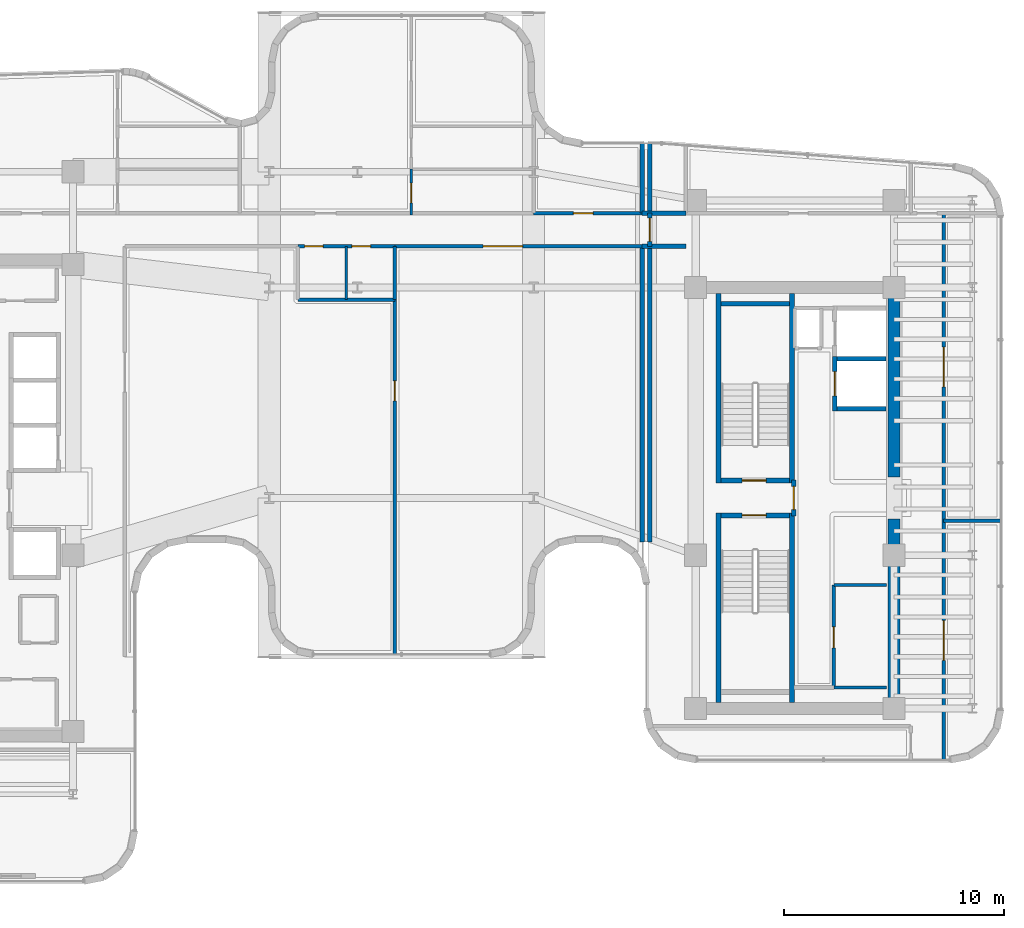
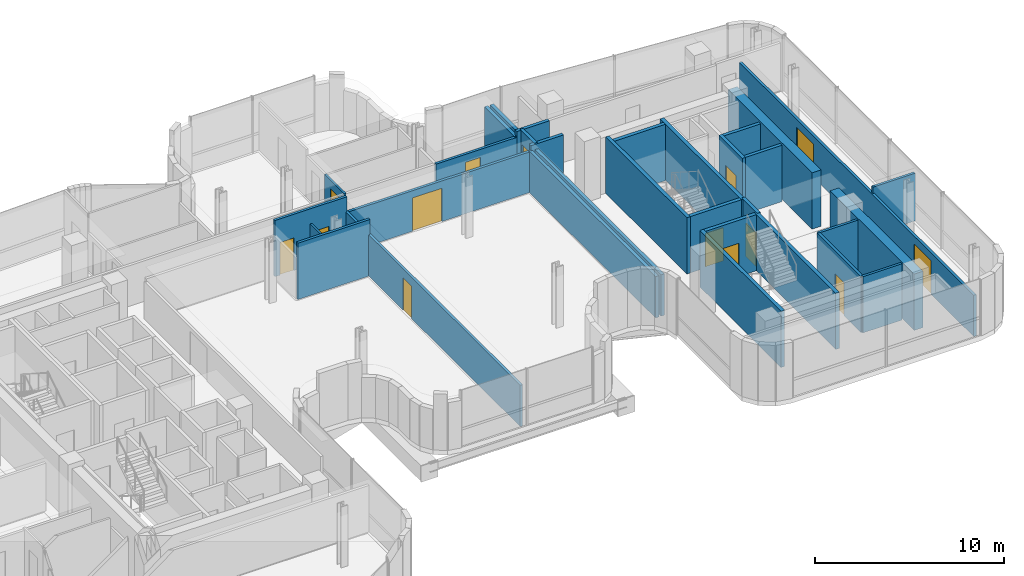
# One storey, part 29 of 38: 33 walls, 14 doors, 14 openings.
"""IFC4 building model written with IfcOpenShell, lengths in metres."""

from ifc_helpers import new_model, si_unit, direction, frame, frame_2d, origin, place, context, subcontext, project, spatial, rectangle, extrude, material, layer, layer_set, type_object, element, fill, save


model = new_model("IFC4")

# Units and contexts
model_context = context("Model", 3, precision=1e-05, world=origin(), true_north=direction((0.0, 1.0)))
body_context = subcontext(model_context, "Body", "Model", "MODEL_VIEW")
ifc_project = project(units=[si_unit("LENGTHUNIT", "METRE"), si_unit("AREAUNIT", "SQUARE_METRE"), si_unit("VOLUMEUNIT", "CUBIC_METRE"), si_unit("PLANEANGLEUNIT", "RADIAN"), si_unit("MASSUNIT", "GRAM", prefix="KILO")], contexts=[model_context])

# Site, building, storey
site_placement = place(None, origin())
site = spatial("IfcSite", under=ifc_project, at=site_placement, CompositionType="ELEMENT")
building_placement = place(site_placement, origin())
building = spatial("IfcBuilding", under=site, at=building_placement, Name="Valdorenza Pilgrim Sanctuary Tower", CompositionType="ELEMENT")
storey_placement = place(building_placement, frame((0.0, 0.0, 180.5)))
storey = spatial("IfcBuildingStorey", under=building, at=storey_placement, Name="L46", CompositionType="ELEMENT", Elevation=180.5)

# Wall, opening, door
ifc_material_1 = material(Name="Acoustic twin-stud gypsum partition", Category="gypsum")
ifc_layer_1 = layer(ifc_material_1, 0.159912109375, Name="Acoustic twin-stud gypsum partition")
ifc_layer_set_1 = layer_set([ifc_layer_1], Name="Acoustic twin-stud gypsum partition")
wall_type_1 = type_object("IfcWallType", Name="WAL-COR-160", PredefinedType="PARTITIONING", material=ifc_layer_set_1)
wall_1_placement = place(storey_placement, frame((22.1201171875, -8.60009765625, 0.0), z_axis=(0.0, 0.0, 1.0), x_axis=(0.0, 1.0, 0.0)))
wall_1 = element("IfcWall", 1, at=wall_1_placement, inside=storey, type_object=wall_type_1, Name="L46 Core B Freed Shaft West Wall", PredefinedType="PARTITIONING", context=body_context, shape_type="SweptSolid", body=[
    extrude(rectangle(XDim=4.650146484375, YDim=0.159912109375, at=frame_2d((2.3251953125, 0.0))), origin(), (0.0, 0.0, 1.0), 3.6298828125),
])
opening_1_placement = place(wall_1_placement, frame((1.800048828125, 0.0, 0.0)))
opening_1 = element("IfcOpeningElement", 2, at=opening_1_placement, cuts=wall_1, Name="Opening DR-UN1", PredefinedType="OPENING", context=body_context, shape_type="SweptSolid", body=[
    extrude(rectangle(XDim=0.949951171875, YDim=2.14990234375, at=frame_2d((0.47509765625, 1.074951171875))), frame((0.0, 0.0947265625, 0.0), z_axis=(0.0, -1.0, 0.0), x_axis=(1.0, 0.0, 0.0)), (0.0, 0.0, 1.0), 0.189697265625),
])
ifc_material_2 = material(Name="Solid-core European oak timber", Category="wood")
door_type_1 = type_object("IfcDoorType", Name="DR-UNIT-950", OperationType="NOTDEFINED", PredefinedType="DOOR", material=ifc_material_2)
door_1_placement = place(opening_1_placement, origin())
door_1 = element("IfcDoor", 3, at=door_1_placement, inside=storey, type_object=door_type_1, Name="L46 East Core Linen Store Door", OperationType="SINGLE_SWING_RIGHT", OverallHeight=2.14990234375, OverallWidth=0.949951171875, PredefinedType="DOOR", context=body_context, shape_type="SweptSolid", body=[
    extrude(rectangle(XDim=0.949951171875, YDim=2.14990234375, at=frame_2d((0.47509765625, 1.074951171875))), frame((0.0, 0.02490234375, 0.0), z_axis=(0.0, -1.0, 0.0), x_axis=(1.0, 0.0, 0.0)), (0.0, 0.0, 1.0), 0.050048828125),
])
fill(opening_1, door_1)

wall_2_placement = place(storey_placement, frame((2.199951171875, 11.419921875, 0.0), z_axis=(0.0, 0.0, 1.0), x_axis=(1.0, 0.0, 0.0)))
wall_2 = element("IfcWall", 4, at=wall_2_placement, inside=storey, type_object=wall_type_1, Name="L46 Prayer Library North-East Corridor Wall", PredefinedType="PARTITIONING", context=body_context, shape_type="SweptSolid", body=[
    extrude(rectangle(XDim=11.219970703125, YDim=0.159912109375, at=frame_2d((5.60986328125, 0.0))), origin(), (0.0, 0.0, 1.0), 2.614990234375),
])
opening_2_placement = place(wall_2_placement, frame((4.0, 0.0, 0.0)))
opening_2 = element("IfcOpeningElement", 5, at=opening_2_placement, cuts=wall_2, Name="Opening DR-HL1", PredefinedType="OPENING", context=body_context, shape_type="SweptSolid", body=[
    extrude(rectangle(XDim=1.800048828125, YDim=2.14990234375, at=frame_2d((0.89990234375, 1.074951171875))), frame((0.0, 0.0947265625, 0.0), z_axis=(0.0, -1.0, 0.0), x_axis=(1.0, 0.0, 0.0)), (0.0, 0.0, 1.0), 0.189697265625),
])
ifc_material_3 = material(Name="Acoustic oak and vision-glass double door", Category="glass")
door_type_2 = type_object("IfcDoorType", Name="DR-HALL-1800", OperationType="NOTDEFINED", PredefinedType="DOOR", material=ifc_material_3)
door_2_placement = place(opening_2_placement, origin())
door_2 = element("IfcDoor", 6, at=door_2_placement, inside=storey, type_object=door_type_2, Name="L46 Sacred Archive Reading Library Door", OperationType="DOUBLE_DOOR_SINGLE_SWING", OverallHeight=2.14990234375, OverallWidth=1.800048828125, PredefinedType="DOOR", context=body_context, shape_type="SweptSolid", body=[
    extrude(rectangle(XDim=1.800048828125, YDim=2.14990234375, at=frame_2d((0.89990234375, 1.074951171875))), frame((0.0, 0.02490234375, 0.0), z_axis=(0.0, -1.0, 0.0), x_axis=(1.0, 0.0, 0.0)), (0.0, 0.0, 1.0), 0.050048828125),
])
fill(opening_2, door_2)

# Walls
wall_3_placement = place(storey_placement, frame((2.199951171875, 9.0, 0.0), z_axis=(0.0, 0.0, 1.0), x_axis=(0.0, 1.0, 0.0)))
element("IfcWall", 7, at=wall_3_placement, inside=storey, type_object=wall_type_1, Name="L46 Washroom East Wall", PredefinedType="PARTITIONING", context=body_context, shape_type="SweptSolid", body=[
    extrude(rectangle(XDim=2.419921875, YDim=0.159912109375, at=frame_2d((1.2099609375, 0.0))), origin(), (0.0, 0.0, 1.0), 2.6650390625),
])
wall_4_placement = place(storey_placement, frame((-2.199951171875, 9.0, 0.0), z_axis=(0.0, 0.0, 1.0), x_axis=(1.0, 0.0, 0.0)))
element("IfcWall", 8, at=wall_4_placement, inside=storey, type_object=wall_type_1, Name="L46 Washroom South Wall", PredefinedType="PARTITIONING", context=body_context, shape_type="SweptSolid", body=[
    extrude(rectangle(XDim=4.39990234375, YDim=0.159912109375, at=frame_2d((2.199951171875, 0.0))), origin(), (0.0, 0.0, 1.0), 3.6298828125),
])

# Wall, openings, doors
wall_5_placement = place(storey_placement, frame((-2.199951171875, 11.419921875, 0.0), z_axis=(0.0, 0.0, 1.0), x_axis=(1.0, 0.0, 0.0)))
wall_5 = element("IfcWall", 9, at=wall_5_placement, inside=storey, type_object=wall_type_1, Name="L46 Washroom North Wall", PredefinedType="PARTITIONING", context=body_context, shape_type="SweptSolid", body=[
    extrude(rectangle(XDim=4.39990234375, YDim=0.159912109375, at=frame_2d((2.199951171875, 0.0))), origin(), (0.0, 0.0, 1.0), 3.6298828125),
])
opening_3_placement = place(wall_5_placement, frame((0.300048828125, 0.0, 0.0)))
opening_3 = element("IfcOpeningElement", 10, at=opening_3_placement, cuts=wall_5, Name="Opening DR-WC1", PredefinedType="OPENING", context=body_context, shape_type="SweptSolid", body=[
    extrude(rectangle(XDim=0.85009765625, YDim=2.10009765625, at=frame_2d((0.425048828125, 1.050048828125))), frame((0.0, 0.0947265625, 0.0), z_axis=(0.0, -1.0, 0.0), x_axis=(1.0, 0.0, 0.0)), (0.0, 0.0, 1.0), 0.189697265625),
])
opening_4_placement = place(wall_5_placement, frame((2.449951171875, 0.0, 0.0)))
opening_4 = element("IfcOpeningElement", 11, at=opening_4_placement, cuts=wall_5, Name="Opening DR-WC1", PredefinedType="OPENING", context=body_context, shape_type="SweptSolid", body=[
    extrude(rectangle(XDim=0.85009765625, YDim=2.10009765625, at=frame_2d((0.425048828125, 1.050048828125))), frame((0.0, 0.0947265625, 0.0), z_axis=(0.0, -1.0, 0.0), x_axis=(1.0, 0.0, 0.0)), (0.0, 0.0, 1.0), 0.189697265625),
])
ifc_material_4 = material(Name="Moisture-resistant lacquered timber", Category="wood")
door_type_3 = type_object("IfcDoorType", Name="DR-BATH-850", OperationType="NOTDEFINED", PredefinedType="DOOR", material=ifc_material_4)
door_3_placement = place(opening_3_placement, origin())
door_3 = element("IfcDoor", 12, at=door_3_placement, inside=storey, type_object=door_type_3, Name="L46 Accessible Washroom Door", OperationType="SINGLE_SWING_RIGHT", OverallHeight=2.10009765625, OverallWidth=0.85009765625, PredefinedType="DOOR", context=body_context, shape_type="SweptSolid", body=[
    extrude(rectangle(XDim=0.85009765625, YDim=2.10009765625, at=frame_2d((0.425048828125, 1.050048828125))), frame((0.0, 0.02490234375, 0.0), z_axis=(0.0, -1.0, 0.0), x_axis=(1.0, 0.0, 0.0)), (0.0, 0.0, 1.0), 0.050048828125),
])
fill(opening_3, door_3)
door_4_placement = place(opening_4_placement, origin())
door_4 = element("IfcDoor", 13, at=door_4_placement, inside=storey, type_object=door_type_3, Name="L46 Public Washroom Door", OperationType="SINGLE_SWING_LEFT", OverallHeight=2.10009765625, OverallWidth=0.85009765625, PredefinedType="DOOR", context=body_context, shape_type="SweptSolid", body=[
    extrude(rectangle(XDim=0.85009765625, YDim=2.10009765625, at=frame_2d((0.425048828125, 1.050048828125))), frame((0.0, 0.02490234375, 0.0), z_axis=(0.0, -1.0, 0.0), x_axis=(1.0, 0.0, 0.0)), (0.0, 0.0, 1.0), 0.050048828125),
])
fill(opening_4, door_4)

# Wall, opening, door
wall_6_placement = place(storey_placement, frame((8.5, 12.919921875, 0.0), z_axis=(0.0, 0.0, 1.0), x_axis=(1.0, 0.0, 0.0)))
wall_6 = element("IfcWall", 14, at=wall_6_placement, inside=storey, type_object=wall_type_1, Name="L46 North-East Prayer Salon Corridor Wall", PredefinedType="PARTITIONING", context=body_context, shape_type="SweptSolid", body=[
    extrude(rectangle(XDim=4.919921875, YDim=0.159912109375, at=frame_2d((2.4599609375, 0.0))), origin(), (0.0, 0.0, 1.0), 2.614990234375),
])
opening_5_placement = place(wall_6_placement, frame((1.800048828125, 0.0, 0.0)))
opening_5 = element("IfcOpeningElement", 15, at=opening_5_placement, cuts=wall_6, Name="Opening DR-RM1", PredefinedType="OPENING", context=body_context, shape_type="SweptSolid", body=[
    extrude(rectangle(XDim=0.89990234375, YDim=2.10009765625, at=frame_2d((0.449951171875, 1.050048828125))), frame((0.0, 0.0947265625, 0.0), z_axis=(0.0, -1.0, 0.0), x_axis=(1.0, 0.0, 0.0)), (0.0, 0.0, 1.0), 0.189697265625),
])
door_type_4 = type_object("IfcDoorType", Name="DR-ROOM-900", OperationType="NOTDEFINED", PredefinedType="DOOR", material=ifc_material_2)
door_5_placement = place(opening_5_placement, origin())
door_5 = element("IfcDoor", 16, at=door_5_placement, inside=storey, type_object=door_type_4, Name="L46 North-East Contemplation Salon Door", OperationType="SINGLE_SWING_RIGHT", OverallHeight=2.10009765625, OverallWidth=0.89990234375, PredefinedType="DOOR", context=body_context, shape_type="SweptSolid", body=[
    extrude(rectangle(XDim=0.89990234375, YDim=2.10009765625, at=frame_2d((0.449951171875, 1.050048828125))), frame((0.0, 0.02490234375, 0.0), z_axis=(0.0, -1.0, 0.0), x_axis=(1.0, 0.0, 0.0)), (0.0, 0.0, 1.0), 0.050048828125),
])
fill(opening_5, door_5)

# Wall, openings, doors
wall_7_placement = place(storey_placement, frame((27.10009765625, -11.889892578125, 0.0), z_axis=(0.0, 0.0, 1.0), x_axis=(0.0, 1.0, 0.0)))
wall_7 = element("IfcWall", 17, at=wall_7_placement, inside=storey, type_object=wall_type_1, Name="L46 Wing B East Corridor Wall", PredefinedType="PARTITIONING", context=body_context, shape_type="SweptSolid", body=[
    extrude(rectangle(XDim=24.809814453125, YDim=0.159912109375, at=frame_2d((12.40478515625, 0.0))), origin(), (0.0, 0.0, 1.0), 2.6650390625),
])
opening_6_placement = place(wall_7_placement, frame((4.52490234375, 0.0, 0.0)))
opening_6 = element("IfcOpeningElement", 18, at=opening_6_placement, cuts=wall_7, Name="Opening DR-HL1", PredefinedType="OPENING", context=body_context, shape_type="SweptSolid", body=[
    extrude(rectangle(XDim=1.800048828125, YDim=2.14990234375, at=frame_2d((0.89990234375, 1.074951171875))), frame((0.0, 0.0947265625, 0.0), z_axis=(0.0, -1.0, 0.0), x_axis=(1.0, 0.0, 0.0)), (0.0, 0.0, 1.0), 0.189697265625),
])
opening_7_placement = place(wall_7_placement, frame((16.929931640625, 0.0, 0.0)))
opening_7 = element("IfcOpeningElement", 19, at=opening_7_placement, cuts=wall_7, Name="Opening DR-HL1", PredefinedType="OPENING", context=body_context, shape_type="SweptSolid", body=[
    extrude(rectangle(XDim=1.800048828125, YDim=2.14990234375, at=frame_2d((0.89990234375, 1.074951171875))), frame((0.0, 0.0947265625, 0.0), z_axis=(0.0, -1.0, 0.0), x_axis=(1.0, 0.0, 0.0)), (0.0, 0.0, 1.0), 0.189697265625),
])
door_6_placement = place(opening_6_placement, origin())
door_6 = element("IfcDoor", 20, at=door_6_placement, inside=storey, type_object=door_type_2, Name="L46 East Reading Lounge L46-EB1 Door", OperationType="DOUBLE_DOOR_SINGLE_SWING", OverallHeight=2.14990234375, OverallWidth=1.800048828125, PredefinedType="DOOR", context=body_context, shape_type="SweptSolid", body=[
    extrude(rectangle(XDim=1.800048828125, YDim=2.14990234375, at=frame_2d((0.89990234375, 1.074951171875))), frame((0.0, 0.02490234375, 0.0), z_axis=(0.0, -1.0, 0.0), x_axis=(1.0, 0.0, 0.0)), (0.0, 0.0, 1.0), 0.050048828125),
])
fill(opening_6, door_6)
door_7_placement = place(opening_7_placement, frame((1.800048828125, 0.0, 0.0), z_axis=(0.0, 0.0, 1.0), x_axis=(-1.0, 0.0, 0.0)))
door_7 = element("IfcDoor", 21, at=door_7_placement, inside=storey, type_object=door_type_2, Name="L46 East Reading Lounge L46-EB2 Door", OperationType="DOUBLE_DOOR_SINGLE_SWING", OverallHeight=2.14990234375, OverallWidth=1.800048828125, PredefinedType="DOOR", context=body_context, shape_type="SweptSolid", body=[
    extrude(rectangle(XDim=1.800048828125, YDim=2.14990234375, at=frame_2d((0.89990234375, 1.074951171875))), frame((0.0, 0.02490234375, 0.0), z_axis=(0.0, -1.0, 0.0), x_axis=(1.0, 0.0, 0.0)), (0.0, 0.0, 1.0), 0.050048828125),
])
fill(opening_7, door_7)

# Walls
ifc_material_5 = material(Name="Concrete C50/60", Category="concrete")
ifc_layer_2 = layer(ifc_material_5, 0.550048828125, Name="Concrete C50/60")
ifc_layer_set_2 = layer_set([ifc_layer_2], Name="Concrete C50/60")
wall_type_2 = type_object("IfcWallType", Name="WAL-COR-550", PredefinedType="SHEAR", material=ifc_layer_set_2)
for number, where, z_axis, x_axis, name in (
    (22, (24.85009765625, -9.824951171875, 0.0), (0.0, 0.0, 1.0), (0.0, 1.0, 0.0), "L46 Split Core B Shear Wall ES"),
    (23, (24.85009765625, 0.949951171875, 0.0), (0.0, 0.0, 1.0), (0.0, 1.0, 0.0), "L46 Split Core B Shear Wall EN"),
):
    element("IfcWall", number, at=place(storey_placement, frame(where, z_axis=z_axis, x_axis=x_axis)), inside=storey, type_object=wall_type_2, Name=name, PredefinedType="SHEAR", context=body_context, shape_type="SweptSolid", body=[
        extrude(rectangle(XDim=8.875, YDim=0.550048828125, at=frame_2d((4.4375, 0.0))), origin(), (0.0, 0.0, 1.0), 3.6298828125),
    ])

# Wall, opening, door
ifc_material_6 = material(Name="Gypsum shaftwall partition", Category="gypsum")
ifc_layer_3 = layer(ifc_material_6, 0.199951171875, Name="Gypsum shaftwall partition")
ifc_layer_set_3 = layer_set([ifc_layer_3], Name="Gypsum shaftwall partition")
wall_type_3 = type_object("IfcWallType", Name="WAL-FFL-200", PredefinedType="PARTITIONING", material=ifc_layer_set_3)
wall_8_placement = place(storey_placement, frame((20.300048828125, -0.820068359375, 0.0), z_axis=(0.0, 0.0, 1.0), x_axis=(0.0, 1.0, 0.0)))
wall_8 = element("IfcWall", 24, at=wall_8_placement, inside=storey, type_object=wall_type_3, Name="L46 Core B Firefighting Lobby East Wall", PredefinedType="PARTITIONING", context=body_context, shape_type="SweptSolid", body=[
    extrude(rectangle(XDim=1.64013671875, YDim=0.199951171875, at=frame_2d((0.820068359375, 0.0))), origin(), (0.0, 0.0, 1.0), 3.6298828125),
])
opening_8_placement = place(wall_8_placement, frame((0.294921875, 0.0, 0.0)))
opening_8 = element("IfcOpeningElement", 25, at=opening_8_placement, cuts=wall_8, Name="Opening DR-FL1", PredefinedType="OPENING", context=body_context, shape_type="SweptSolid", body=[
    extrude(rectangle(XDim=1.050048828125, YDim=2.14990234375, at=frame_2d((0.52490234375, 1.074951171875))), frame((0.0, 0.11474609375, 0.0), z_axis=(0.0, -1.0, 0.0), x_axis=(1.0, 0.0, 0.0)), (0.0, 0.0, 1.0), 0.229736328125),
])
ifc_material_7 = material(Name="Painted galvanized steel", Category="steel")
door_type_5 = type_object("IfcDoorType", Name="DR-FFL-1050", OperationType="NOTDEFINED", PredefinedType="DOOR", material=ifc_material_7)
door_8_placement = place(opening_8_placement, origin())
door_8 = element("IfcDoor", 26, at=door_8_placement, inside=storey, type_object=door_type_5, Name="L46 Core B Firefighting Lobby Door", OperationType="SINGLE_SWING_RIGHT", OverallHeight=2.14990234375, OverallWidth=1.050048828125, PredefinedType="DOOR", context=body_context, shape_type="SweptSolid", body=[
    extrude(rectangle(XDim=1.050048828125, YDim=2.14990234375, at=frame_2d((0.52490234375, 1.074951171875))), frame((0.0, 0.02490234375, 0.0), z_axis=(0.0, -1.0, 0.0), x_axis=(1.0, 0.0, 0.0)), (0.0, 0.0, 1.0), 0.050048828125),
])
fill(opening_8, door_8)

# Walls
for number, where, z_axis, x_axis, name in (
    (27, (13.419921875, -2.0, 0.0), (0.0, 0.0, 1.0), (0.0, 1.0, 0.0), "L46 Prayer Bar Joint West Wall"),
    (28, (13.760009765625, -2.0, 0.0), (0.0, 0.0, 1.0), (0.0, 1.0, 0.0), "L46 Wing B Joint East Wall"),
):
    element("IfcWall", number, at=place(storey_placement, frame(where, z_axis=z_axis, x_axis=x_axis)), inside=storey, type_object=wall_type_3, Name=name, PredefinedType="PARTITIONING", context=body_context, shape_type="SweptSolid", body=[
        extrude(rectangle(XDim=13.419921875, YDim=0.199951171875, at=frame_2d((6.7099609375, 0.0))), origin(), (0.0, 0.0, 1.0), 2.6650390625),
    ])
for number, where, z_axis, x_axis, name in (
    (29, (13.419921875, 12.919921875, 0.0), (0.0, 0.0, 1.0), (0.0, 1.0, 0.0), "L46 North-East Joint West Wall"),
    (30, (13.760009765625, 12.919921875, 0.0), (0.0, 0.0, 1.0), (0.0, 1.0, 0.0), "L46 North-East Joint East Wall"),
):
    element("IfcWall", number, at=place(storey_placement, frame(where, z_axis=z_axis, x_axis=x_axis)), inside=storey, type_object=wall_type_3, Name=name, PredefinedType="PARTITIONING", context=body_context, shape_type="SweptSolid", body=[
        extrude(rectangle(XDim=3.170166015625, YDim=0.199951171875, at=frame_2d((1.5849609375, 0.0))), origin(), (0.0, 0.0, 1.0), 2.6650390625),
    ])
for number, where, z_axis, x_axis, name in (
    (31, (13.419921875, 12.919921875, 0.0), (0.0, 0.0, 1.0), (1.0, 0.0, 0.0), "L46 L46 Bridge Joint Corridor North Wall"),
    (32, (13.419921875, 11.419921875, 0.0), (0.0, 0.0, 1.0), (1.0, 0.0, 0.0), "L46 L46 Bridge Joint Corridor South Wall"),
):
    element("IfcWall", number, at=place(storey_placement, frame(where, z_axis=z_axis, x_axis=x_axis)), inside=storey, type_object=wall_type_3, Name=name, PredefinedType="PARTITIONING", context=body_context, shape_type="SweptSolid", body=[
        extrude(rectangle(XDim=1.97998046875, YDim=0.199951171875, at=frame_2d((0.989990234375, 0.0))), origin(), (0.0, 0.0, 1.0), 3.00390625),
    ])

# Wall, opening, door
wall_9_placement = place(storey_placement, frame((13.760009765625, 11.419921875, 0.0), z_axis=(0.0, 0.0, 1.0), x_axis=(0.0, 1.0, 0.0)))
wall_9 = element("IfcWall", 33, at=wall_9_placement, inside=storey, type_object=wall_type_3, Name="L46 L46 Bridge Joint Threshold Fire Wall", PredefinedType="PARTITIONING", context=body_context, shape_type="SweptSolid", body=[
    extrude(rectangle(XDim=1.5, YDim=0.199951171875, at=frame_2d((0.75, 0.0))), origin(), (0.0, 0.0, 1.0), 3.00390625),
])
opening_9_placement = place(wall_9_placement, frame((0.22509765625, 0.0, 0.0)))
opening_9 = element("IfcOpeningElement", 34, at=opening_9_placement, cuts=wall_9, Name="Opening DR-FL1", PredefinedType="OPENING", context=body_context, shape_type="SweptSolid", body=[
    extrude(rectangle(XDim=1.050048828125, YDim=2.14990234375, at=frame_2d((0.52490234375, 1.074951171875))), frame((0.0, 0.11474609375, 0.0), z_axis=(0.0, -1.0, 0.0), x_axis=(1.0, 0.0, 0.0)), (0.0, 0.0, 1.0), 0.229736328125),
])
door_9_placement = place(opening_9_placement, origin())
door_9 = element("IfcDoor", 35, at=door_9_placement, inside=storey, type_object=door_type_5, Name="L46 L46 Bridge Movement-Joint Threshold Door", OperationType="SINGLE_SWING_RIGHT", OverallHeight=2.14990234375, OverallWidth=1.050048828125, PredefinedType="DOOR", context=body_context, shape_type="SweptSolid", body=[
    extrude(rectangle(XDim=1.050048828125, YDim=2.14990234375, at=frame_2d((0.52490234375, 1.074951171875))), frame((0.0, 0.02490234375, 0.0), z_axis=(0.0, -1.0, 0.0), x_axis=(1.0, 0.0, 0.0)), (0.0, 0.0, 1.0), 0.050048828125),
])
fill(opening_9, door_9)

ifc_material_8 = material(Name="Moisture-resistant gypsum partition", Category="gypsum")
ifc_layer_4 = layer(ifc_material_8, 0.1201171875, Name="Moisture-resistant gypsum partition")
ifc_layer_set_4 = layer_set([ifc_layer_4], Name="Moisture-resistant gypsum partition")
wall_type_4 = type_object("IfcWallType", Name="WAL-INT-120", PredefinedType="PARTITIONING", material=ifc_layer_set_4)
wall_10_placement = place(storey_placement, frame((2.9501953125, 12.840087890625, 0.0), z_axis=(0.0, 0.0, 1.0), x_axis=(0.0, 1.0, 0.0)))
wall_10 = element("IfcWall", 36, at=wall_10_placement, inside=storey, type_object=wall_type_4, Name="L46 North Family Flat L46-N3 Kitchen Door Wall", PredefinedType="PARTITIONING", context=body_context, shape_type="SweptSolid", body=[
    extrude(rectangle(XDim=2.079833984375, YDim=0.1201171875, at=frame_2d((1.0400390625, 0.0))), origin(), (0.0, 0.0, 1.0), 2.6650390625),
])
opening_10_placement = place(wall_10_placement, frame((0.550048828125, 0.0, 0.0)))
opening_10 = element("IfcOpeningElement", 37, at=opening_10_placement, cuts=wall_10, Name="Opening DR-RM1", PredefinedType="OPENING", context=body_context, shape_type="SweptSolid", body=[
    extrude(rectangle(XDim=0.89990234375, YDim=2.10009765625, at=frame_2d((0.449951171875, 1.050048828125))), frame((0.0, 0.074951171875, 0.0), z_axis=(0.0, -1.0, 0.0), x_axis=(1.0, 0.0, 0.0)), (0.0, 0.0, 1.0), 0.14990234375),
])
door_10_placement = place(opening_10_placement, origin())
door_10 = element("IfcDoor", 38, at=door_10_placement, inside=storey, type_object=door_type_4, Name="L46 North Family Flat L46-N3 Kitchen Door", OperationType="SINGLE_SWING_LEFT", OverallHeight=2.10009765625, OverallWidth=0.89990234375, PredefinedType="DOOR", context=body_context, shape_type="SweptSolid", body=[
    extrude(rectangle(XDim=0.89990234375, YDim=2.10009765625, at=frame_2d((0.449951171875, 1.050048828125))), frame((0.0, 0.02490234375, 0.0), z_axis=(0.0, -1.0, 0.0), x_axis=(1.0, 0.0, 0.0)), (0.0, 0.0, 1.0), 0.050048828125),
])
fill(opening_10, door_10)

# Wall
wall_11_placement = place(storey_placement, frame((0.0, 9.0, 0.0), z_axis=(0.0, 0.0, 1.0), x_axis=(0.0, 1.0, 0.0)))
element("IfcWall", 39, at=wall_11_placement, inside=storey, type_object=wall_type_4, Name="L46 Washroom Divider Wall", PredefinedType="PARTITIONING", context=body_context, shape_type="SweptSolid", body=[
    extrude(rectangle(XDim=2.419921875, YDim=0.1201171875, at=frame_2d((1.2099609375, 0.0))), origin(), (0.0, 0.0, 1.0), 2.6650390625),
])

# Wall, opening, door
ifc_material_9 = material(Name="Autoclaved aerated concrete blockwork", Category="masonry")
ifc_layer_5 = layer(ifc_material_9, 0.199951171875, Name="Autoclaved aerated concrete blockwork")
ifc_layer_set_5 = layer_set([ifc_layer_5], Name="Autoclaved aerated concrete blockwork")
wall_type_5 = type_object("IfcWallType", Name="WAL-SHF-200", PredefinedType="MOVABLE", material=ifc_layer_set_5)
wall_12_placement = place(storey_placement, frame((22.14990234375, 3.949951171875, 0.0), z_axis=(0.0, 0.0, 1.0), x_axis=(0.0, 1.0, 0.0)))
wall_12 = element("IfcWall", 40, at=wall_12_placement, inside=storey, type_object=wall_type_5, Name="L46 Lift PL-07 Hoistway Wall West", PredefinedType="MOVABLE", context=body_context, shape_type="SweptSolid", body=[
    extrude(rectangle(XDim=2.47509765625, YDim=0.199951171875, at=frame_2d((1.237548828125, 0.0))), origin(), (0.0, 0.0, 1.0), 3.6298828125),
])
opening_11_placement = place(wall_12_placement, frame((0.6875, 0.0, 0.0)))
opening_11 = element("IfcOpeningElement", 41, at=opening_11_placement, cuts=wall_12, Name="Opening LD-01", PredefinedType="OPENING", context=body_context, shape_type="SweptSolid", body=[
    extrude(rectangle(XDim=1.10009765625, YDim=2.10009765625, at=frame_2d((0.550048828125, 1.050048828125))), frame((0.0, 0.11474609375, 0.0), z_axis=(0.0, -1.0, 0.0), x_axis=(1.0, 0.0, 0.0)), (0.0, 0.0, 1.0), 0.229736328125),
])
ifc_material_10 = material(Name="Brushed stainless steel Grade 316", Category="steel")
door_type_6 = type_object("IfcDoorType", Name="DR-LFT-1100", OperationType="DOUBLE_DOOR_SLIDING", PredefinedType="DOOR", material=ifc_material_10)
door_11_placement = place(opening_11_placement, origin())
door_11 = element("IfcDoor", 42, at=door_11_placement, inside=storey, type_object=door_type_6, Name="L46 Lift PL-07 Sliding Landing Door", OperationType="DOUBLE_DOOR_SLIDING", OverallHeight=2.10009765625, OverallWidth=1.10009765625, PredefinedType="DOOR", context=body_context, shape_type="SweptSolid", body=[
    extrude(rectangle(XDim=1.10009765625, YDim=2.10009765625, at=frame_2d((0.550048828125, 1.050048828125))), frame((0.0, 0.02490234375, 0.0), z_axis=(0.0, -1.0, 0.0), x_axis=(1.0, 0.0, 0.0)), (0.0, 0.0, 1.0), 0.050048828125),
])
fill(opening_11, door_11)

# Walls
for number, where, z_axis, x_axis, name in (
    (43, (22.25, 4.050048828125, 0.0), (0.0, 0.0, 1.0), (1.0, 0.0, 0.0), "L46 Lift PL-07 Hoistway Wall South"),
    (44, (22.25, 6.324951171875, 0.0), (0.0, 0.0, 1.0), (1.0, 0.0, 0.0), "L46 Lift PL-07 Hoistway Wall North"),
):
    element("IfcWall", number, at=place(storey_placement, frame(where, z_axis=z_axis, x_axis=x_axis)), inside=storey, type_object=wall_type_5, Name=name, PredefinedType="MOVABLE", context=body_context, shape_type="SweptSolid", body=[
        extrude(rectangle(XDim=2.22998046875, YDim=0.199951171875, at=frame_2d((1.114990234375, 0.0))), origin(), (0.0, 0.0, 1.0), 3.6298828125),
    ])
ifc_material_11 = material(Name="Concrete C40/50", Category="concrete")
ifc_layer_6 = layer(ifc_material_11, 0.219970703125, Name="Concrete C40/50")
ifc_layer_set_6 = layer_set([ifc_layer_6], Name="Concrete C40/50")
wall_type_6 = type_object("IfcWallType", Name="WAL-STR-SHF-220", PredefinedType="SHEAR", material=ifc_layer_set_6)
for number, where, z_axis, x_axis, name in (
    (45, (16.889892578125, 0.679931640625, 0.0), (0.0, 0.0, 1.0), (0.0, 1.0, 0.0), "L46 ST-B1 Structural Stairwell Wall W"),
    (46, (20.219970703125, 0.679931640625, 0.0), (0.0, 0.0, 1.0), (0.0, 1.0, 0.0), "L46 ST-B1 Structural Stairwell Wall E"),
):
    element("IfcWall", number, at=place(storey_placement, frame(where, z_axis=z_axis, x_axis=x_axis)), inside=storey, type_object=wall_type_6, Name=name, PredefinedType="SHEAR", context=body_context, shape_type="SweptSolid", body=[
        extrude(rectangle(XDim=8.594970703125, YDim=0.219970703125, at=frame_2d((4.29736328125, 0.0))), origin(), (0.0, 0.0, 1.0), 3.6298828125),
    ])

# Wall, opening, door
wall_13_placement = place(storey_placement, frame((17.0, 0.7900390625, 0.0), z_axis=(0.0, 0.0, 1.0), x_axis=(1.0, 0.0, 0.0)))
wall_13 = element("IfcWall", 47, at=wall_13_placement, inside=storey, type_object=wall_type_6, Name="L46 ST-B1 Structural Stairwell Wall S", PredefinedType="SHEAR", context=body_context, shape_type="SweptSolid", body=[
    extrude(rectangle(XDim=3.110107421875, YDim=0.219970703125, at=frame_2d((1.55517578125, 0.0))), origin(), (0.0, 0.0, 1.0), 3.6298828125),
])
opening_12_placement = place(wall_13_placement, frame((0.949951171875, 0.0, 0.0)))
opening_12 = element("IfcOpeningElement", 48, at=opening_12_placement, cuts=wall_13, Name="Opening DR-ST1", PredefinedType="OPENING", context=body_context, shape_type="SweptSolid", body=[
    extrude(rectangle(XDim=1.10009765625, YDim=2.14990234375, at=frame_2d((0.550048828125, 1.074951171875))), frame((0.0, 0.125, 0.0), z_axis=(0.0, -1.0, 0.0), x_axis=(1.0, 0.0, 0.0)), (0.0, 0.0, 1.0), 0.249755859375),
])
door_type_7 = type_object("IfcDoorType", Name="DR-STAIR-1100", OperationType="NOTDEFINED", PredefinedType="DOOR", material=ifc_material_7)
door_12_placement = place(opening_12_placement, frame((1.10009765625, 0.0, 0.0), z_axis=(0.0, 0.0, 1.0), x_axis=(-1.0, 0.0, 0.0)))
door_12 = element("IfcDoor", 49, at=door_12_placement, inside=storey, type_object=door_type_7, Name="L46 Exit Stair ST-B1 Door", OperationType="SINGLE_SWING_LEFT", OverallHeight=2.14990234375, OverallWidth=1.10009765625, PredefinedType="DOOR", context=body_context, shape_type="SweptSolid", body=[
    extrude(rectangle(XDim=1.10009765625, YDim=2.14990234375, at=frame_2d((0.550048828125, 1.074951171875))), frame((0.0, 0.02490234375, 0.0), z_axis=(0.0, -1.0, 0.0), x_axis=(1.0, 0.0, 0.0)), (0.0, 0.0, 1.0), 0.050048828125),
])
fill(opening_12, door_12)

# Walls
wall_14_placement = place(storey_placement, frame((17.0, 8.81005859375, 0.0), z_axis=(0.0, 0.0, 1.0), x_axis=(1.0, 0.0, 0.0)))
element("IfcWall", 50, at=wall_14_placement, inside=storey, type_object=wall_type_6, Name="L46 ST-B1 Structural Stairwell Wall N", PredefinedType="SHEAR", context=body_context, shape_type="SweptSolid", body=[
    extrude(rectangle(XDim=3.110107421875, YDim=0.219970703125, at=frame_2d((1.55517578125, 0.0))), origin(), (0.0, 0.0, 1.0), 3.6298828125),
])
for number, where, z_axis, x_axis, name in (
    (51, (16.889892578125, -9.27490234375, 0.0), (0.0, 0.0, 1.0), (0.0, 1.0, 0.0), "L46 ST-B2 Structural Stairwell Wall W"),
    (52, (20.219970703125, -9.27490234375, 0.0), (0.0, 0.0, 1.0), (0.0, 1.0, 0.0), "L46 ST-B2 Structural Stairwell Wall E"),
):
    element("IfcWall", number, at=place(storey_placement, frame(where, z_axis=z_axis, x_axis=x_axis)), inside=storey, type_object=wall_type_6, Name=name, PredefinedType="SHEAR", context=body_context, shape_type="SweptSolid", body=[
        extrude(rectangle(XDim=8.594970703125, YDim=0.219970703125, at=frame_2d((4.29736328125, 0.0))), origin(), (0.0, 0.0, 1.0), 3.6298828125),
    ])

# Wall, opening, door
wall_15_placement = place(storey_placement, frame((17.0, -0.7900390625, 0.0), z_axis=(0.0, 0.0, 1.0), x_axis=(1.0, 0.0, 0.0)))
wall_15 = element("IfcWall", 53, at=wall_15_placement, inside=storey, type_object=wall_type_6, Name="L46 ST-B2 Structural Stairwell Wall N", PredefinedType="SHEAR", context=body_context, shape_type="SweptSolid", body=[
    extrude(rectangle(XDim=3.110107421875, YDim=0.219970703125, at=frame_2d((1.55517578125, 0.0))), origin(), (0.0, 0.0, 1.0), 3.6298828125),
])
opening_13_placement = place(wall_15_placement, frame((0.949951171875, 0.0, 0.0)))
opening_13 = element("IfcOpeningElement", 54, at=opening_13_placement, cuts=wall_15, Name="Opening DR-ST1", PredefinedType="OPENING", context=body_context, shape_type="SweptSolid", body=[
    extrude(rectangle(XDim=1.10009765625, YDim=2.14990234375, at=frame_2d((0.550048828125, 1.074951171875))), frame((0.0, 0.125, 0.0), z_axis=(0.0, -1.0, 0.0), x_axis=(1.0, 0.0, 0.0)), (0.0, 0.0, 1.0), 0.249755859375),
])
door_13_placement = place(opening_13_placement, origin())
door_13 = element("IfcDoor", 55, at=door_13_placement, inside=storey, type_object=door_type_7, Name="L46 Exit Stair ST-B2 Door", OperationType="SINGLE_SWING_RIGHT", OverallHeight=2.14990234375, OverallWidth=1.10009765625, PredefinedType="DOOR", context=body_context, shape_type="SweptSolid", body=[
    extrude(rectangle(XDim=1.10009765625, YDim=2.14990234375, at=frame_2d((0.550048828125, 1.074951171875))), frame((0.0, 0.02490234375, 0.0), z_axis=(0.0, -1.0, 0.0), x_axis=(1.0, 0.0, 0.0)), (0.0, 0.0, 1.0), 0.050048828125),
])
fill(opening_13, door_13)

# Walls
ifc_layer_7 = layer(ifc_material_1, 0.14990234375, Name="Acoustic twin-stud gypsum partition")
ifc_layer_set_7 = layer_set([ifc_layer_7], Name="Acoustic twin-stud gypsum partition")
wall_type_7 = type_object("IfcWallType", Name="WAL-UNT-150", PredefinedType="PARTITIONING", material=ifc_layer_set_7)
for number, where, z_axis, x_axis, name in (
    (56, (22.1201171875, -3.949951171875, 0.0), (0.0, 0.0, 1.0), (1.0, 0.0, 0.0), "L46 Core B Freed Shaft North Wall"),
    (57, (22.1201171875, -8.60009765625, 0.0), (0.0, 0.0, 1.0), (1.0, 0.0, 0.0), "L46 Core B Freed Shaft South Wall"),
):
    element("IfcWall", number, at=place(storey_placement, frame(where, z_axis=z_axis, x_axis=x_axis)), inside=storey, type_object=wall_type_7, Name=name, PredefinedType="PARTITIONING", context=body_context, shape_type="SweptSolid", body=[
        extrude(rectangle(XDim=2.3798828125, YDim=0.14990234375, at=frame_2d((1.18994140625, 0.0))), origin(), (0.0, 0.0, 1.0), 3.6298828125),
    ])

# Wall, opening, door
wall_16_placement = place(storey_placement, frame((2.199951171875, -7.090087890625, 0.0), z_axis=(0.0, 0.0, 1.0), x_axis=(0.0, 1.0, 0.0)))
wall_16 = element("IfcWall", 58, at=wall_16_placement, inside=storey, type_object=wall_type_7, Name="L46 Prayer Hall East Library Split", PredefinedType="PARTITIONING", context=body_context, shape_type="SweptSolid", body=[
    extrude(rectangle(XDim=16.090087890625, YDim=0.14990234375, at=frame_2d((8.044921875, 0.0))), origin(), (0.0, 0.0, 1.0), 2.6650390625),
])
opening_14_placement = place(wall_16_placement, frame((11.5, 0.0, 0.0)))
opening_14 = element("IfcOpeningElement", 59, at=opening_14_placement, cuts=wall_16, Name="Opening DR-RM1", PredefinedType="OPENING", context=body_context, shape_type="SweptSolid", body=[
    extrude(rectangle(XDim=0.89990234375, YDim=2.10009765625, at=frame_2d((0.449951171875, 1.050048828125))), frame((0.0, 0.08984375, 0.0), z_axis=(0.0, -1.0, 0.0), x_axis=(1.0, 0.0, 0.0)), (0.0, 0.0, 1.0), 0.1796875),
])
door_14_placement = place(opening_14_placement, frame((0.89990234375, 0.0, 0.0), z_axis=(0.0, 0.0, 1.0), x_axis=(-1.0, 0.0, 0.0)))
door_14 = element("IfcDoor", 60, at=door_14_placement, inside=storey, type_object=door_type_4, Name="L46 Prayer Hall Library Door", OperationType="SINGLE_SWING_LEFT", OverallHeight=2.10009765625, OverallWidth=0.89990234375, PredefinedType="DOOR", context=body_context, shape_type="SweptSolid", body=[
    extrude(rectangle(XDim=0.89990234375, YDim=2.10009765625, at=frame_2d((0.449951171875, 1.050048828125))), frame((0.0, 0.02490234375, 0.0), z_axis=(0.0, -1.0, 0.0), x_axis=(1.0, 0.0, 0.0)), (0.0, 0.0, 1.0), 0.050048828125),
])
fill(opening_14, door_14)

# Wall
wall_17_placement = place(storey_placement, frame((27.10009765625, -1.0400390625, 0.0), z_axis=(0.0, 0.0, 1.0), x_axis=(1.0, 0.0, 0.0)))
element("IfcWall", 61, at=wall_17_placement, inside=storey, type_object=wall_type_7, Name="L46 East Reading Lounge L46-EB2 Demising Wall", PredefinedType="PARTITIONING", context=body_context, shape_type="SweptSolid", body=[
    extrude(rectangle(XDim=2.58984375, YDim=0.14990234375, at=frame_2d((1.294921875, 0.0))), origin(), (0.0, 0.0, 1.0), 3.075927734375),
])

save(model, "model.ifc")
